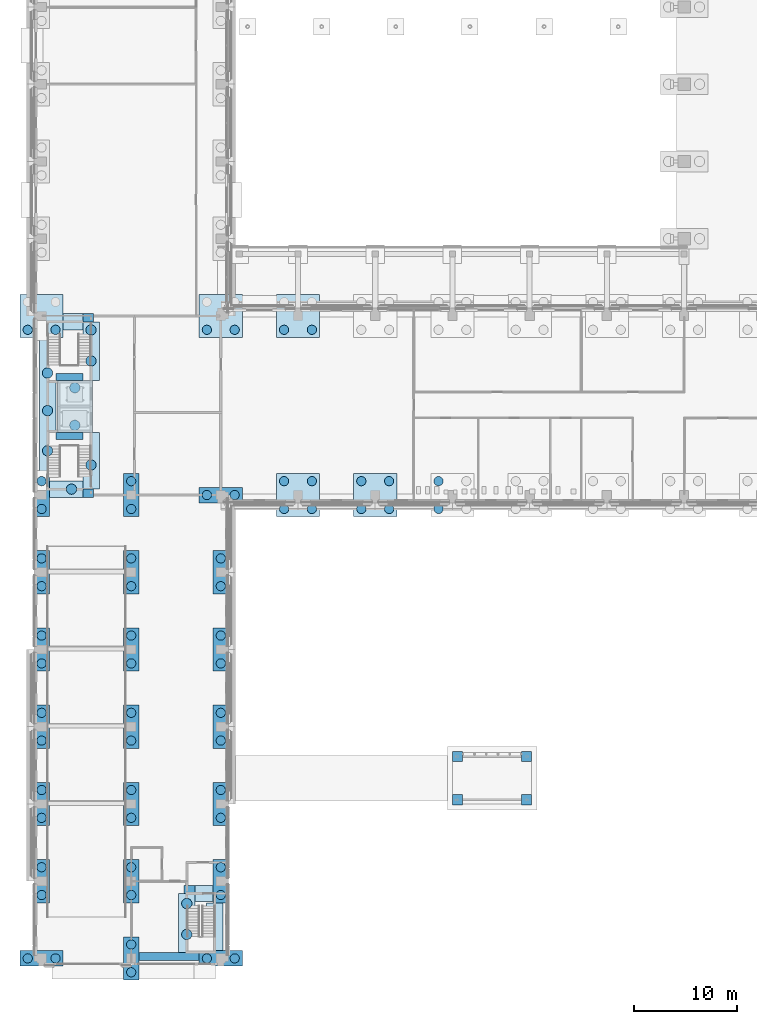
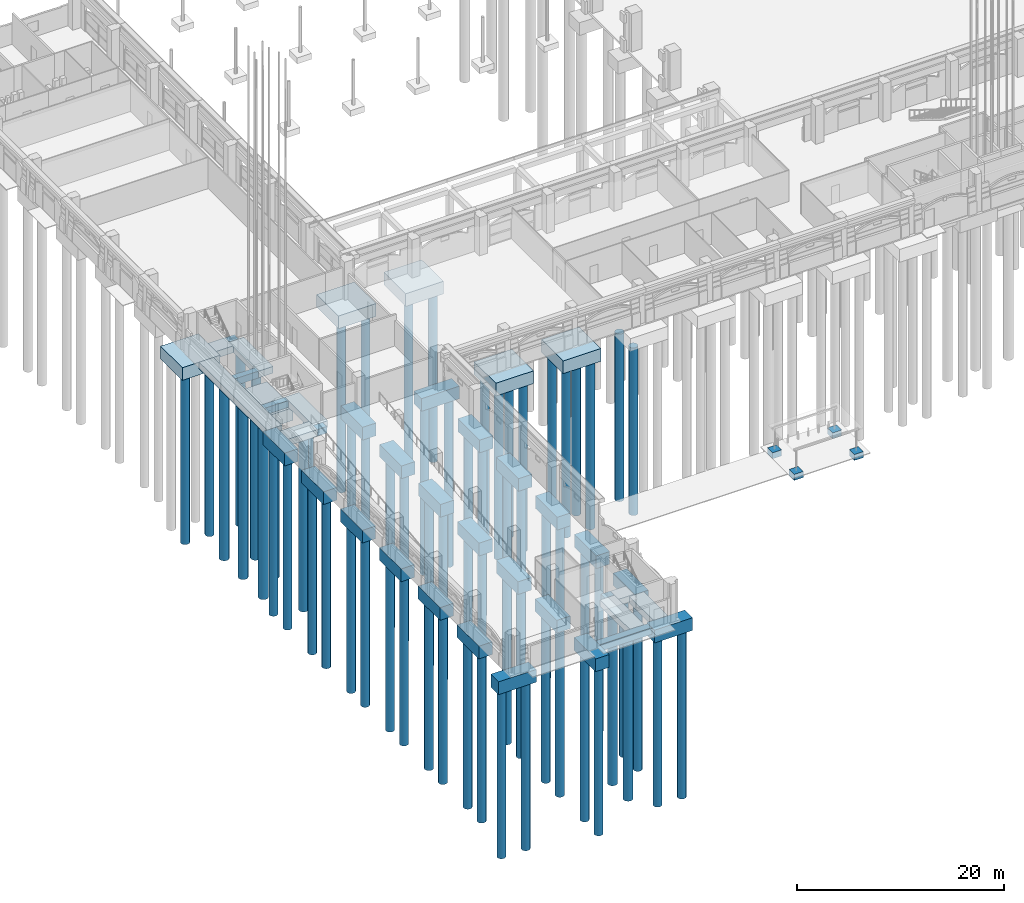
# One storey, part 1 of 99: 69 piles, 45 footings.
"""IFC4 building model written with IfcOpenShell, lengths in metres."""

import ifcopenshell
import ifcopenshell.guid

model = None  # the IFC model being written
_history = None  # IfcOwnerHistory: only IFC2X3 demands one
_inside = {}  # id of a spatial element -> (the spatial element, [elements in it])
_under = {}  # id of a project, library or spatial element -> (it, [spatial elements below it])
_declared = {}  # id of a project -> (the project, [libraries it declares])
_typed = {}  # id of a type object -> (the type object, [elements of that type])
_made_of = {}  # id of a material, layer set ... -> (it, [elements and type objects made of it])


def new_model(schema):
    """Start an empty IFC model of exactly this schema.

    Asked for "IFC4X3", IfcOpenShell would pick the latest addendum, in which some entities
    have other attributes; the version numbers below select the first issue.
    IFC2X3 requires an IfcOwnerHistory on every rooted entity: one is made here for all.
    """
    global model, _history
    if schema == "IFC4X3":
        model = ifcopenshell.file(schema_version=(4, 3, 0, 0))
    else:
        model = ifcopenshell.file(schema=schema)
    _inside.clear()
    _under.clear()
    _declared.clear()
    _typed.clear()
    _made_of.clear()
    _history = None
    if model.schema == "IFC2X3":
        org = make("IfcOrganization", Name="unknown")
        user = make(
            "IfcPersonAndOrganization",
            ThePerson=make("IfcPerson", FamilyName="unknown"),
            TheOrganization=org,
        )
        app = make(
            "IfcApplication",
            ApplicationDeveloper=org,
            Version="unknown",
            ApplicationFullName="unknown",
            ApplicationIdentifier="unknown",
        )
        _history = make(
            "IfcOwnerHistory",
            OwningUser=user,
            OwningApplication=app,
            ChangeAction="ADDED",
            CreationDate=0,
        )
    return model


def make(cls, **values):
    """One entity of the class cls with the attributes given. An attribute that is None is left unset."""
    return model.create_entity(
        cls, **{name: value for name, value in values.items() if value is not None}
    )


def rooted(cls, **values):
    """An entity with a GlobalId (a new one), such as an element, a storey or a relation."""
    return make(cls, GlobalId=ifcopenshell.guid.new(), OwnerHistory=_history, **values)


def si_unit(unit_type, name, prefix=None):
    """IfcSIUnit, for example si_unit("LENGTHUNIT", "METRE", prefix="MILLI")."""
    return make("IfcSIUnit", UnitType=unit_type, Prefix=prefix, Name=name)


def assignment(units):
    """IfcUnitAssignment: the units of a project."""
    return None if units is None else make("IfcUnitAssignment", Units=units)


def point(xyz):
    """IfcCartesianPoint."""
    return None if xyz is None else make("IfcCartesianPoint", Coordinates=xyz)


def direction(xyz):
    """IfcDirection."""
    return None if xyz is None else make("IfcDirection", DirectionRatios=xyz)


def frame(location, z_axis=None, x_axis=None):
    """IfcAxis2Placement3D, a coordinate frame: its origin and axes. An axis left out is left unset."""
    return make(
        "IfcAxis2Placement3D",
        Location=point(location),
        Axis=direction(z_axis),
        RefDirection=direction(x_axis),
    )


def frame_2d(location, x_axis=None):
    """IfcAxis2Placement2D, a coordinate frame in the plane: its origin and x axis."""
    return make(
        "IfcAxis2Placement2D", Location=point(location), RefDirection=direction(x_axis)
    )


def origin():
    """The frame at (0, 0, 0) with its axes left unset."""
    return frame((0.0, 0.0, 0.0))


def origin_2d():
    """The frame at (0, 0) in the plane with its x axis left unset."""
    return frame_2d((0.0, 0.0))


def place(relative_to, where):
    """IfcLocalPlacement: puts the frame where relative to a parent placement (None: the world)."""
    return make(
        "IfcLocalPlacement", PlacementRelTo=relative_to, RelativePlacement=where
    )


def context(
    kind, dimensions, precision=None, world=None, true_north=None, identifier=None
):
    """IfcGeometricRepresentationContext, for example the 3D "Model" context."""
    return make(
        "IfcGeometricRepresentationContext",
        ContextIdentifier=identifier,
        ContextType=kind,
        CoordinateSpaceDimension=dimensions,
        Precision=precision,
        WorldCoordinateSystem=world,
        TrueNorth=true_north,
    )


def subcontext(parent, identifier, kind, view, scale=None):
    """IfcGeometricRepresentationSubContext, for example "Body" below "Model"."""
    return make(
        "IfcGeometricRepresentationSubContext",
        ContextIdentifier=identifier,
        ContextType=kind,
        ParentContext=parent,
        TargetScale=scale,
        TargetView=view,
    )


def project(units=None, contexts=None):
    """IfcProject with its units and contexts."""
    return rooted(
        "IfcProject",
        Name="project",
        RepresentationContexts=contexts,
        UnitsInContext=assignment(units),
    )


def spatial(cls, under=None, at=None, **own):
    """A site, building, storey or space (cls), placed at a placement, below another one or the project."""
    s = rooted(cls, ObjectPlacement=at, **own)
    if under is not None:
        _under.setdefault(under.id(), (under, []))[1].append(s)
    return s


def polyline(points):
    """IfcPolyline through the points."""
    return make("IfcPolyline", Points=[point(p) for p in points])


def profile(cls, at=None, kind="AREA", **sizes):
    """A parametric profile (cls). Its sizes go by their IFC names, for example OverallWidth=200.0."""
    return make(cls, ProfileType=kind, Position=at, **sizes)


def circle(**sizes):
    """IfcCircleProfileDef."""
    return profile("IfcCircleProfileDef", **sizes)


def outline(outer, holes=None, kind="AREA"):
    """IfcArbitraryClosedProfileDef: a profile drawn as a closed curve; with holes, ...WithVoids."""
    if holes is None:
        return make("IfcArbitraryClosedProfileDef", ProfileType=kind, OuterCurve=outer)
    return make(
        "IfcArbitraryProfileDefWithVoids",
        ProfileType=kind,
        OuterCurve=outer,
        InnerCurves=holes,
    )


def extrude(swept, where, along, depth):
    """IfcExtrudedAreaSolid: the profile swept, set in the frame where, extruded along a direction by depth."""
    return make(
        "IfcExtrudedAreaSolid",
        SweptArea=swept,
        Position=where,
        ExtrudedDirection=direction(along),
        Depth=depth,
    )


def shape(context_of_items, identifier, shape_type, items):
    """IfcShapeRepresentation: the items that make up one representation, for example the "Body"."""
    return make(
        "IfcShapeRepresentation",
        ContextOfItems=context_of_items,
        RepresentationIdentifier=identifier,
        RepresentationType=shape_type,
        Items=items,
    )


def material(Name=None, Category=None):
    """IfcMaterial."""
    return make("IfcMaterial", Name=Name, Category=Category)


def layer(
    of_material, thickness, ventilated=None, Name=None, Category=None, Priority=None
):
    """IfcMaterialLayer: one layer of a wall or slab, of a material (None: an air gap)."""
    return make(
        "IfcMaterialLayer",
        Material=of_material,
        LayerThickness=thickness,
        IsVentilated=ventilated,
        Name=Name,
        Category=Category,
        Priority=Priority,
    )


def layer_set(layers, Name=None):
    """IfcMaterialLayerSet."""
    return make("IfcMaterialLayerSet", MaterialLayers=layers, LayerSetName=Name)


def material_profile(
    of_material, cross_section, Name=None, Category=None, Priority=None
):
    """IfcMaterialProfile: a cross section and its material."""
    return make(
        "IfcMaterialProfile",
        Name=Name,
        Material=of_material,
        Profile=cross_section,
        Priority=Priority,
        Category=Category,
    )


def profile_set(profiles, Name=None, composite=None):
    """IfcMaterialProfileSet."""
    return make(
        "IfcMaterialProfileSet",
        Name=Name,
        MaterialProfiles=profiles,
        CompositeProfile=composite,
    )


def made_of(thing, what):
    """Note that an element or type object is made of a material, layer set ...; save() writes the relation."""
    if what is not None:
        _made_of.setdefault(what.id(), (what, []))[1].append(thing)
    return thing


def type_object(cls, material=None, **own):
    """A type object (cls), such as IfcWallType, which elements share."""
    return made_of(rooted(cls, **own), material)


def element(
    cls,
    number,
    at=None,
    inside=None,
    cuts=None,
    type_object=None,
    material=None,
    context=None,
    identifier="Body",
    shape_type=None,
    held_by="IfcProductDefinitionShape",
    body=None,
    shapes=None,
    **own,
):
    """One element of the class cls, such as IfcWall. Its Tag is "e" and its number.

    at: its placement. inside: the storey or other place that contains it. cuts: it is an
    opening in that element (IfcRelVoidsElement). A single representation is given by context,
    identifier, shape_type and body (its items); several are given by shapes. held_by: the class
    of the entity that holds the representations. save() writes the other relations.
    """
    e = rooted(cls, Tag="e%d" % number, ObjectPlacement=at, **own)
    if body is not None:
        shapes = [shape(context, identifier, shape_type, body)]
    if shapes is not None:
        e.Representation = make(held_by, Representations=shapes)
    if inside is not None:
        _inside.setdefault(inside.id(), (inside, []))[1].append(e)
    if cuts is not None:
        rooted(
            "IfcRelVoidsElement", RelatingBuildingElement=cuts, RelatedOpeningElement=e
        )
    if type_object is not None:
        _typed.setdefault(type_object.id(), (type_object, []))[1].append(e)
    return made_of(e, material)


def aggregate(whole, parts):
    """IfcRelAggregates: a whole, such as a stair, and the parts it consists of."""
    return rooted("IfcRelAggregates", RelatingObject=whole, RelatedObjects=parts)


def save(model, path):
    """Write the relations noted so far, then the file.

    IfcRelAggregates (storeys below a building ...), IfcRelContainedInSpatialStructure (elements
    in a storey), IfcRelDefinesByType, IfcRelAssociatesMaterial and IfcRelDeclares: one each for
    every whole, place, type object, material and project.
    """
    for whole, parts in _under.values():
        aggregate(whole, parts)
    for where, things in _inside.values():
        rooted(
            "IfcRelContainedInSpatialStructure",
            RelatedElements=things,
            RelatingStructure=where,
        )
    for kind, things in _typed.values():
        rooted("IfcRelDefinesByType", RelatedObjects=things, RelatingType=kind)
    for what, things in _made_of.values():
        rooted("IfcRelAssociatesMaterial", RelatedObjects=things, RelatingMaterial=what)
    for by, libraries in _declared.values():
        rooted("IfcRelDeclares", RelatingContext=by, RelatedDefinitions=libraries)
    model.write(path)


model = new_model("IFC4")

# Units and contexts
model_context = context("Model", 3, precision=1e-05, world=origin(), true_north=direction((0.0, 1.0)))
body_context = subcontext(model_context, "Body", "Model", "MODEL_VIEW")
ifc_project = project(units=[si_unit("LENGTHUNIT", "METRE"), si_unit("AREAUNIT", "SQUARE_METRE"), si_unit("VOLUMEUNIT", "CUBIC_METRE"), si_unit("PLANEANGLEUNIT", "RADIAN"), si_unit("MASSUNIT", "GRAM", prefix="KILO")], contexts=[model_context])

# Site, building, storey
site_placement = place(None, origin())
site = spatial("IfcSite", under=ifc_project, at=site_placement, CompositionType="ELEMENT")
building_placement = place(site_placement, origin())
building = spatial("IfcBuilding", under=site, at=building_placement, Name="Cour d'Honneur Mobility Palace", CompositionType="ELEMENT")
storey_placement = place(building_placement, origin())
storey = spatial("IfcBuildingStorey", under=building, at=storey_placement, Name="L00", CompositionType="ELEMENT", Elevation=0.0)

# Piles
ifc_material_1 = material(Name="Concrete C40", Category="concrete")
ifc_material_profile_1 = material_profile(ifc_material_1, circle(Radius=0.5, at=origin_2d()), Name="Bored pile D1000")
ifc_profile_set_1 = profile_set([ifc_material_profile_1], Name="Concrete C40")
pile_type_1 = type_object("IfcPileType", Name="Bored pile D1000", PredefinedType="BORED", material=ifc_profile_set_1)
for number, where, z_axis, x_axis, name in (
    (1, (3.22509765625, 51.77490234375, -3.300048828125), (0.0, 0.0, -1.0), (1.0, 0.0, 0.0), "Bored pile CW.L.1"),
    (2, (3.22509765625, 55.425048828125, -3.300048828125), (0.0, 0.0, -1.0), (1.0, 0.0, 0.0), "Bored pile CW.L.2"),
):
    element("IfcPile", number, at=place(storey_placement, frame(where, z_axis=z_axis, x_axis=x_axis)), inside=storey, type_object=pile_type_1, Name=name, PredefinedType="BORED", context=body_context, shape_type="SweptSolid", body=[
        extrude(circle(Radius=0.5, at=origin_2d()), origin(), (0.0, 0.0, 1.0), 18.199951171875),
    ])
for number, where, z_axis, x_axis, name in (
    (3, (14.10009765625, 2.324951171875, -1.050048828125), (0.0, 0.0, -1.0), (1.0, 0.0, 0.0), "Bored pile S003.1"),
    (4, (14.10009765625, 5.324951171875, -1.050048828125), (0.0, 0.0, -1.0), (1.0, 0.0, 0.0), "Bored pile S003.2"),
    (5, (2.89990234375, 45.574951171875, -1.050048828125), (0.0, 0.0, -1.0), (1.0, 0.0, 0.0), "Bored pile S011.1"),
    (6, (4.800048828125, 47.925048828125, -1.050048828125), (0.0, 0.0, -1.0), (1.0, 0.0, 0.0), "Bored pile S018.1"),
    (7, (0.574951171875, 49.300048828125, -1.050048828125), (0.0, 0.0, -1.0), (1.0, 0.0, 0.0), "Bored pile S023.1"),
    (8, (0.574951171875, 53.199951171875, -1.050048828125), (0.0, 0.0, -1.0), (1.0, 0.0, 0.0), "Bored pile S023.2"),
    (9, (0.574951171875, 56.85009765625, -1.050048828125), (0.0, 0.0, -1.0), (1.0, 0.0, 0.0), "Bored pile S023.3"),
    (10, (4.800048828125, 58.02490234375, -1.050048828125), (0.0, 0.0, -1.0), (1.0, 0.0, 0.0), "Bored pile S032.1"),
    (11, (4.800048828125, 61.02490234375, -1.050048828125), (0.0, 0.0, -1.0), (1.0, 0.0, 0.0), "Bored pile S032.2"),
):
    element("IfcPile", number, at=place(storey_placement, frame(where, z_axis=z_axis, x_axis=x_axis)), inside=storey, type_object=pile_type_1, Name=name, PredefinedType="BORED", context=body_context, shape_type="SweptSolid", body=[
        extrude(circle(Radius=0.5, at=origin_2d()), origin(), (0.0, 0.0, 1.0), 20.449951171875),
    ])
ifc_material_2 = material(Name="Concrete C40", Category="concrete")
ifc_material_profile_2 = material_profile(ifc_material_2, circle(Radius=0.449951171875, at=origin_2d()), Name="Bored pile D900")
ifc_profile_set_2 = profile_set([ifc_material_profile_2], Name="Concrete C40")
pile_type_2 = type_object("IfcPileType", Name="Bored pile D900", PredefinedType="BORED", material=ifc_profile_set_2)
for number, where, z_axis, x_axis, name in (
    (12, (-1.35009765625, 0.0, -1.75), (0.0, 0.0, -1.0), (1.0, 0.0, 0.0), "Bored pile L00.1/A.1"),
    (13, (1.35009765625, 0.0, -1.75), (0.0, 0.0, -1.0), (1.0, 0.0, 0.0), "Bored pile L00.1/A.2"),
    (14, (8.699951171875, -1.35009765625, -1.75), (0.0, 0.0, -1.0), (1.0, 0.0, 0.0), "Bored pile L00.1A/A.1"),
    (15, (8.699951171875, 1.35009765625, -1.75), (0.0, 0.0, -1.0), (1.0, 0.0, 0.0), "Bored pile L00.1A/A.2"),
    (16, (16.050048828125, 0.0, -1.75), (0.0, 0.0, -1.0), (1.0, 0.0, 0.0), "Bored pile L00.2/A.1"),
    (17, (18.75, 0.0, -1.75), (0.0, 0.0, -1.0), (1.0, 0.0, 0.0), "Bored pile L00.2/A.2"),
    (18, (0.0, 6.14990234375, -1.75), (0.0, 0.0, -1.0), (1.0, 0.0, 0.0), "Bored pile L00.1/B.1"),
    (19, (0.0, 8.85009765625, -1.75), (0.0, 0.0, -1.0), (1.0, 0.0, 0.0), "Bored pile L00.1/B.2"),
    (20, (8.699951171875, 6.14990234375, -1.75), (0.0, 0.0, -1.0), (1.0, 0.0, 0.0), "Bored pile L00.1A/B.1"),
    (21, (8.699951171875, 8.85009765625, -1.75), (0.0, 0.0, -1.0), (1.0, 0.0, 0.0), "Bored pile L00.1A/B.2"),
    (22, (17.39990234375, 6.14990234375, -1.75), (0.0, 0.0, -1.0), (1.0, 0.0, 0.0), "Bored pile L00.2/B.1"),
    (23, (17.39990234375, 8.85009765625, -1.75), (0.0, 0.0, -1.0), (1.0, 0.0, 0.0), "Bored pile L00.2/B.2"),
    (24, (0.0, 13.64990234375, -1.75), (0.0, 0.0, -1.0), (1.0, 0.0, 0.0), "Bored pile L00.1/C.1"),
    (25, (0.0, 16.35009765625, -1.75), (0.0, 0.0, -1.0), (1.0, 0.0, 0.0), "Bored pile L00.1/C.2"),
    (26, (8.699951171875, 13.64990234375, -1.75), (0.0, 0.0, -1.0), (1.0, 0.0, 0.0), "Bored pile L00.1A/C.1"),
    (27, (8.699951171875, 16.35009765625, -1.75), (0.0, 0.0, -1.0), (1.0, 0.0, 0.0), "Bored pile L00.1A/C.2"),
    (28, (17.39990234375, 13.64990234375, -1.75), (0.0, 0.0, -1.0), (1.0, 0.0, 0.0), "Bored pile L00.2/C.1"),
    (29, (17.39990234375, 16.35009765625, -1.75), (0.0, 0.0, -1.0), (1.0, 0.0, 0.0), "Bored pile L00.2/C.2"),
    (30, (0.0, 21.14990234375, -1.75), (0.0, 0.0, -1.0), (1.0, 0.0, 0.0), "Bored pile L00.1/D.1"),
    (31, (0.0, 23.85009765625, -1.75), (0.0, 0.0, -1.0), (1.0, 0.0, 0.0), "Bored pile L00.1/D.2"),
    (32, (8.699951171875, 21.14990234375, -1.75), (0.0, 0.0, -1.0), (1.0, 0.0, 0.0), "Bored pile L00.1A/D.1"),
    (33, (8.699951171875, 23.85009765625, -1.75), (0.0, 0.0, -1.0), (1.0, 0.0, 0.0), "Bored pile L00.1A/D.2"),
    (34, (17.39990234375, 21.14990234375, -1.75), (0.0, 0.0, -1.0), (1.0, 0.0, 0.0), "Bored pile L00.2/D.1"),
    (35, (17.39990234375, 23.85009765625, -1.75), (0.0, 0.0, -1.0), (1.0, 0.0, 0.0), "Bored pile L00.2/D.2"),
    (36, (0.0, 28.64990234375, -1.75), (0.0, 0.0, -1.0), (1.0, 0.0, 0.0), "Bored pile L00.1/E.1"),
    (37, (0.0, 31.35009765625, -1.75), (0.0, 0.0, -1.0), (1.0, 0.0, 0.0), "Bored pile L00.1/E.2"),
    (38, (8.699951171875, 28.64990234375, -1.75), (0.0, 0.0, -1.0), (1.0, 0.0, 0.0), "Bored pile L00.1A/E.1"),
    (39, (8.699951171875, 31.35009765625, -1.75), (0.0, 0.0, -1.0), (1.0, 0.0, 0.0), "Bored pile L00.1A/E.2"),
    (40, (17.39990234375, 28.64990234375, -1.75), (0.0, 0.0, -1.0), (1.0, 0.0, 0.0), "Bored pile L00.2/E.1"),
    (41, (17.39990234375, 31.35009765625, -1.75), (0.0, 0.0, -1.0), (1.0, 0.0, 0.0), "Bored pile L00.2/E.2"),
    (42, (0.0, 36.14990234375, -1.75), (0.0, 0.0, -1.0), (1.0, 0.0, 0.0), "Bored pile L00.1/F.1"),
    (43, (0.0, 38.85009765625, -1.75), (0.0, 0.0, -1.0), (1.0, 0.0, 0.0), "Bored pile L00.1/F.2"),
    (44, (8.699951171875, 36.14990234375, -1.75), (0.0, 0.0, -1.0), (1.0, 0.0, 0.0), "Bored pile L00.1A/F.1"),
    (45, (8.699951171875, 38.85009765625, -1.75), (0.0, 0.0, -1.0), (1.0, 0.0, 0.0), "Bored pile L00.1A/F.2"),
    (46, (17.39990234375, 36.14990234375, -1.75), (0.0, 0.0, -1.0), (1.0, 0.0, 0.0), "Bored pile L00.2/F.1"),
    (47, (17.39990234375, 38.85009765625, -1.75), (0.0, 0.0, -1.0), (1.0, 0.0, 0.0), "Bored pile L00.2/F.2"),
    (48, (0.0, 43.64990234375, -1.75), (0.0, 0.0, -1.0), (1.0, 0.0, 0.0), "Bored pile L00.1/G.1"),
    (49, (0.0, 46.35009765625, -1.75), (0.0, 0.0, -1.0), (1.0, 0.0, 0.0), "Bored pile L00.1/G.2"),
    (50, (8.699951171875, 43.64990234375, -1.75), (0.0, 0.0, -1.0), (1.0, 0.0, 0.0), "Bored pile L00.1A/G.1"),
    (51, (8.699951171875, 46.35009765625, -1.75), (0.0, 0.0, -1.0), (1.0, 0.0, 0.0), "Bored pile L00.1A/G.2"),
    (52, (16.050048828125, 45.0, -1.75), (0.0, 0.0, -1.0), (1.0, 0.0, 0.0), "Bored pile L00.2/G.1"),
    (53, (18.75, 45.0, -1.75), (0.0, 0.0, -1.0), (1.0, 0.0, 0.0), "Bored pile L00.2/G.2"),
    (54, (23.550048828125, 43.64990234375, -1.75), (0.0, 0.0, -1.0), (1.0, 0.0, 0.0), "Bored pile L00.3/G.1"),
    (55, (26.25, 43.64990234375, -1.75), (0.0, 0.0, -1.0), (1.0, 0.0, 0.0), "Bored pile L00.3/G.2"),
    (56, (23.550048828125, 46.35009765625, -1.75), (0.0, 0.0, -1.0), (1.0, 0.0, 0.0), "Bored pile L00.3/G.3"),
    (57, (26.25, 46.35009765625, -1.75), (0.0, 0.0, -1.0), (1.0, 0.0, 0.0), "Bored pile L00.3/G.4"),
    (58, (31.050048828125, 43.64990234375, -1.75), (0.0, 0.0, -1.0), (1.0, 0.0, 0.0), "Bored pile L00.4/G.1"),
    (59, (33.75, 43.64990234375, -1.75), (0.0, 0.0, -1.0), (1.0, 0.0, 0.0), "Bored pile L00.4/G.2"),
    (60, (31.050048828125, 46.35009765625, -1.75), (0.0, 0.0, -1.0), (1.0, 0.0, 0.0), "Bored pile L00.4/G.3"),
    (61, (33.75, 46.35009765625, -1.75), (0.0, 0.0, -1.0), (1.0, 0.0, 0.0), "Bored pile L00.4/G.4"),
    (62, (38.550048828125, 43.64990234375, -1.75), (0.0, 0.0, -1.0), (1.0, 0.0, 0.0), "Bored pile L00.5/G.1"),
    (63, (38.550048828125, 46.35009765625, -1.75), (0.0, 0.0, -1.0), (1.0, 0.0, 0.0), "Bored pile L00.5/G.3"),
    (64, (-1.35009765625, 61.050048828125, -1.75), (0.0, 0.0, -1.0), (1.0, 0.0, 0.0), "Bored pile L00.1/H.1"),
    (65, (1.35009765625, 61.050048828125, -1.75), (0.0, 0.0, -1.0), (1.0, 0.0, 0.0), "Bored pile L00.1/H.2"),
    (66, (16.050048828125, 61.050048828125, -1.75), (0.0, 0.0, -1.0), (1.0, 0.0, 0.0), "Bored pile L00.2/H.1"),
    (67, (18.75, 61.050048828125, -1.75), (0.0, 0.0, -1.0), (1.0, 0.0, 0.0), "Bored pile L00.2/H.2"),
    (68, (23.550048828125, 61.050048828125, -1.75), (0.0, 0.0, -1.0), (1.0, 0.0, 0.0), "Bored pile L00.3/H.1"),
    (69, (26.25, 61.050048828125, -1.75), (0.0, 0.0, -1.0), (1.0, 0.0, 0.0), "Bored pile L00.3/H.2"),
):
    element("IfcPile", number, at=place(storey_placement, frame(where, z_axis=z_axis, x_axis=x_axis)), inside=storey, type_object=pile_type_2, Name=name, PredefinedType="BORED", context=body_context, shape_type="SweptSolid", body=[
        extrude(circle(Radius=0.449951171875, at=origin_2d()), origin(), (0.0, 0.0, 1.0), 19.75),
    ])

# Footings
ifc_material_3 = material(Name="Concrete C40", Category="concrete")
ifc_layer_1 = layer(ifc_material_3, 1.5)
ifc_layer_set_1 = layer_set([ifc_layer_1], Name="Concrete C40")
footing_type_1 = type_object("IfcFootingType", Name="Pile cap PC2 4200x1500", PredefinedType="PILE_CAP", material=ifc_layer_set_1)
footing_1_placement = place(storey_placement, frame((0.0, 0.0, -1.75)))
element("IfcFooting", 70, at=footing_1_placement, inside=storey, type_object=footing_type_1, Name="Pile cap PC2-1/A", PredefinedType="PILE_CAP", context=body_context, shape_type="SweptSolid", body=[
    extrude(outline(polyline([(-2.10009765625, -0.75), (2.10009765625, -0.75), (2.10009765625, 0.75), (-2.10009765625, 0.75), (-2.10009765625, -0.75)])), origin(), (0.0, 0.0, 1.0), 1.5),
])
footing_2_placement = place(storey_placement, frame((0.0, 0.0, -1.75)))
element("IfcFooting", 71, at=footing_2_placement, inside=storey, type_object=footing_type_1, Name="Pile cap PC2-1A/A", PredefinedType="PILE_CAP", context=body_context, shape_type="SweptSolid", body=[
    extrude(outline(polyline([(7.949951171875, -2.10009765625), (9.449951171875, -2.10009765625), (9.449951171875, 2.10009765625), (7.949951171875, 2.10009765625), (7.949951171875, -2.10009765625)])), origin(), (0.0, 0.0, 1.0), 1.5),
])
footing_3_placement = place(storey_placement, frame((0.0, 0.0, -1.75)))
element("IfcFooting", 72, at=footing_3_placement, inside=storey, type_object=footing_type_1, Name="Pile cap PC2-2/A", PredefinedType="PILE_CAP", context=body_context, shape_type="SweptSolid", body=[
    extrude(outline(polyline([(15.300048828125, -0.75), (19.5, -0.75), (19.5, 0.75), (15.300048828125, 0.75), (15.300048828125, -0.75)])), origin(), (0.0, 0.0, 1.0), 1.5),
])
footing_4_placement = place(storey_placement, frame((0.0, 0.0, -1.75)))
element("IfcFooting", 73, at=footing_4_placement, inside=storey, type_object=footing_type_1, Name="Pile cap PC2-1/B", PredefinedType="PILE_CAP", context=body_context, shape_type="SweptSolid", body=[
    extrude(outline(polyline([(-0.75, 5.39990234375), (0.75, 5.39990234375), (0.75, 9.60009765625), (-0.75, 9.60009765625), (-0.75, 5.39990234375)])), origin(), (0.0, 0.0, 1.0), 1.5),
])
footing_5_placement = place(storey_placement, frame((0.0, 0.0, -1.75)))
element("IfcFooting", 74, at=footing_5_placement, inside=storey, type_object=footing_type_1, Name="Pile cap PC2-1A/B", PredefinedType="PILE_CAP", context=body_context, shape_type="SweptSolid", body=[
    extrude(outline(polyline([(7.949951171875, 5.39990234375), (9.449951171875, 5.39990234375), (9.449951171875, 9.60009765625), (7.949951171875, 9.60009765625), (7.949951171875, 5.39990234375)])), origin(), (0.0, 0.0, 1.0), 1.5),
])
footing_6_placement = place(storey_placement, frame((0.0, 0.0, -1.75)))
element("IfcFooting", 75, at=footing_6_placement, inside=storey, type_object=footing_type_1, Name="Pile cap PC2-2/B", PredefinedType="PILE_CAP", context=body_context, shape_type="SweptSolid", body=[
    extrude(outline(polyline([(16.64990234375, 5.39990234375), (18.14990234375, 5.39990234375), (18.14990234375, 9.60009765625), (16.64990234375, 9.60009765625), (16.64990234375, 5.39990234375)])), origin(), (0.0, 0.0, 1.0), 1.5),
])
footing_7_placement = place(storey_placement, frame((0.0, 0.0, -1.75)))
element("IfcFooting", 76, at=footing_7_placement, inside=storey, type_object=footing_type_1, Name="Pile cap PC2-1/C", PredefinedType="PILE_CAP", context=body_context, shape_type="SweptSolid", body=[
    extrude(outline(polyline([(-0.75, 12.89990234375), (0.75, 12.89990234375), (0.75, 17.10009765625), (-0.75, 17.10009765625), (-0.75, 12.89990234375)])), origin(), (0.0, 0.0, 1.0), 1.5),
])
footing_8_placement = place(storey_placement, frame((0.0, 0.0, -1.75)))
element("IfcFooting", 77, at=footing_8_placement, inside=storey, type_object=footing_type_1, Name="Pile cap PC2-1A/C", PredefinedType="PILE_CAP", context=body_context, shape_type="SweptSolid", body=[
    extrude(outline(polyline([(7.949951171875, 12.89990234375), (9.449951171875, 12.89990234375), (9.449951171875, 17.10009765625), (7.949951171875, 17.10009765625), (7.949951171875, 12.89990234375)])), origin(), (0.0, 0.0, 1.0), 1.5),
])
footing_9_placement = place(storey_placement, frame((0.0, 0.0, -1.75)))
element("IfcFooting", 78, at=footing_9_placement, inside=storey, type_object=footing_type_1, Name="Pile cap PC2-2/C", PredefinedType="PILE_CAP", context=body_context, shape_type="SweptSolid", body=[
    extrude(outline(polyline([(16.64990234375, 12.89990234375), (18.14990234375, 12.89990234375), (18.14990234375, 17.10009765625), (16.64990234375, 17.10009765625), (16.64990234375, 12.89990234375)])), origin(), (0.0, 0.0, 1.0), 1.5),
])
footing_10_placement = place(storey_placement, frame((0.0, 0.0, -1.75)))
element("IfcFooting", 79, at=footing_10_placement, inside=storey, type_object=footing_type_1, Name="Pile cap PC2-1/D", PredefinedType="PILE_CAP", context=body_context, shape_type="SweptSolid", body=[
    extrude(outline(polyline([(-0.75, 20.39990234375), (0.75, 20.39990234375), (0.75, 24.60009765625), (-0.75, 24.60009765625), (-0.75, 20.39990234375)])), origin(), (0.0, 0.0, 1.0), 1.5),
])
footing_11_placement = place(storey_placement, frame((0.0, 0.0, -1.75)))
element("IfcFooting", 80, at=footing_11_placement, inside=storey, type_object=footing_type_1, Name="Pile cap PC2-1A/D", PredefinedType="PILE_CAP", context=body_context, shape_type="SweptSolid", body=[
    extrude(outline(polyline([(7.949951171875, 20.39990234375), (9.449951171875, 20.39990234375), (9.449951171875, 24.60009765625), (7.949951171875, 24.60009765625), (7.949951171875, 20.39990234375)])), origin(), (0.0, 0.0, 1.0), 1.5),
])
footing_12_placement = place(storey_placement, frame((0.0, 0.0, -1.75)))
element("IfcFooting", 81, at=footing_12_placement, inside=storey, type_object=footing_type_1, Name="Pile cap PC2-2/D", PredefinedType="PILE_CAP", context=body_context, shape_type="SweptSolid", body=[
    extrude(outline(polyline([(16.64990234375, 20.39990234375), (18.14990234375, 20.39990234375), (18.14990234375, 24.60009765625), (16.64990234375, 24.60009765625), (16.64990234375, 20.39990234375)])), origin(), (0.0, 0.0, 1.0), 1.5),
])
footing_13_placement = place(storey_placement, frame((0.0, 0.0, -1.75)))
element("IfcFooting", 82, at=footing_13_placement, inside=storey, type_object=footing_type_1, Name="Pile cap PC2-1/E", PredefinedType="PILE_CAP", context=body_context, shape_type="SweptSolid", body=[
    extrude(outline(polyline([(-0.75, 27.89990234375), (0.75, 27.89990234375), (0.75, 32.10009765625), (-0.75, 32.10009765625), (-0.75, 27.89990234375)])), origin(), (0.0, 0.0, 1.0), 1.5),
])
footing_14_placement = place(storey_placement, frame((0.0, 0.0, -1.75)))
element("IfcFooting", 83, at=footing_14_placement, inside=storey, type_object=footing_type_1, Name="Pile cap PC2-1A/E", PredefinedType="PILE_CAP", context=body_context, shape_type="SweptSolid", body=[
    extrude(outline(polyline([(7.949951171875, 27.89990234375), (9.449951171875, 27.89990234375), (9.449951171875, 32.10009765625), (7.949951171875, 32.10009765625), (7.949951171875, 27.89990234375)])), origin(), (0.0, 0.0, 1.0), 1.5),
])
footing_15_placement = place(storey_placement, frame((0.0, 0.0, -1.75)))
element("IfcFooting", 84, at=footing_15_placement, inside=storey, type_object=footing_type_1, Name="Pile cap PC2-2/E", PredefinedType="PILE_CAP", context=body_context, shape_type="SweptSolid", body=[
    extrude(outline(polyline([(16.64990234375, 27.89990234375), (18.14990234375, 27.89990234375), (18.14990234375, 32.10009765625), (16.64990234375, 32.10009765625), (16.64990234375, 27.89990234375)])), origin(), (0.0, 0.0, 1.0), 1.5),
])
footing_16_placement = place(storey_placement, frame((0.0, 0.0, -1.75)))
element("IfcFooting", 85, at=footing_16_placement, inside=storey, type_object=footing_type_1, Name="Pile cap PC2-1/F", PredefinedType="PILE_CAP", context=body_context, shape_type="SweptSolid", body=[
    extrude(outline(polyline([(-0.75, 35.39990234375), (0.75, 35.39990234375), (0.75, 39.60009765625), (-0.75, 39.60009765625), (-0.75, 35.39990234375)])), origin(), (0.0, 0.0, 1.0), 1.5),
])
footing_17_placement = place(storey_placement, frame((0.0, 0.0, -1.75)))
element("IfcFooting", 86, at=footing_17_placement, inside=storey, type_object=footing_type_1, Name="Pile cap PC2-1A/F", PredefinedType="PILE_CAP", context=body_context, shape_type="SweptSolid", body=[
    extrude(outline(polyline([(7.949951171875, 35.39990234375), (9.449951171875, 35.39990234375), (9.449951171875, 39.60009765625), (7.949951171875, 39.60009765625), (7.949951171875, 35.39990234375)])), origin(), (0.0, 0.0, 1.0), 1.5),
])
footing_18_placement = place(storey_placement, frame((0.0, 0.0, -1.75)))
element("IfcFooting", 87, at=footing_18_placement, inside=storey, type_object=footing_type_1, Name="Pile cap PC2-2/F", PredefinedType="PILE_CAP", context=body_context, shape_type="SweptSolid", body=[
    extrude(outline(polyline([(16.64990234375, 35.39990234375), (18.14990234375, 35.39990234375), (18.14990234375, 39.60009765625), (16.64990234375, 39.60009765625), (16.64990234375, 35.39990234375)])), origin(), (0.0, 0.0, 1.0), 1.5),
])
footing_19_placement = place(storey_placement, frame((0.0, 0.0, -1.75)))
element("IfcFooting", 88, at=footing_19_placement, inside=storey, type_object=footing_type_1, Name="Pile cap PC2-1/G", PredefinedType="PILE_CAP", context=body_context, shape_type="SweptSolid", body=[
    extrude(outline(polyline([(-0.75, 42.89990234375), (0.75, 42.89990234375), (0.75, 47.10009765625), (-0.75, 47.10009765625), (-0.75, 42.89990234375)])), origin(), (0.0, 0.0, 1.0), 1.5),
])
footing_20_placement = place(storey_placement, frame((0.0, 0.0, -1.75)))
element("IfcFooting", 89, at=footing_20_placement, inside=storey, type_object=footing_type_1, Name="Pile cap PC2-1A/G", PredefinedType="PILE_CAP", context=body_context, shape_type="SweptSolid", body=[
    extrude(outline(polyline([(7.949951171875, 42.89990234375), (9.449951171875, 42.89990234375), (9.449951171875, 47.10009765625), (7.949951171875, 47.10009765625), (7.949951171875, 42.89990234375)])), origin(), (0.0, 0.0, 1.0), 1.5),
])
footing_21_placement = place(storey_placement, frame((0.0, 0.0, -1.75)))
element("IfcFooting", 90, at=footing_21_placement, inside=storey, type_object=footing_type_1, Name="Pile cap PC2-2/G", PredefinedType="PILE_CAP", context=body_context, shape_type="SweptSolid", body=[
    extrude(outline(polyline([(15.300048828125, 44.25), (19.5, 44.25), (19.5, 45.75), (15.300048828125, 45.75), (15.300048828125, 44.25)])), origin(), (0.0, 0.0, 1.0), 1.5),
])
ifc_material_4 = material(Name="Concrete C40", Category="concrete")
ifc_layer_2 = layer(ifc_material_4, 1.5)
ifc_layer_set_2 = layer_set([ifc_layer_2], Name="Concrete C40")
footing_type_2 = type_object("IfcFootingType", Name="Pile cap PC4 4200x4200", PredefinedType="PILE_CAP", material=ifc_layer_set_2)
footing_22_placement = place(storey_placement, frame((0.0, 0.0, -1.75)))
element("IfcFooting", 91, at=footing_22_placement, inside=storey, type_object=footing_type_2, Name="Pile cap PC4-3/G", PredefinedType="PILE_CAP", context=body_context, shape_type="SweptSolid", body=[
    extrude(outline(polyline([(22.800048828125, 42.89990234375), (27.0, 42.89990234375), (27.0, 47.10009765625), (22.800048828125, 47.10009765625), (22.800048828125, 42.89990234375)])), origin(), (0.0, 0.0, 1.0), 1.5),
])
footing_23_placement = place(storey_placement, frame((0.0, 0.0, -1.75)))
element("IfcFooting", 92, at=footing_23_placement, inside=storey, type_object=footing_type_2, Name="Pile cap PC4-4/G", PredefinedType="PILE_CAP", context=body_context, shape_type="SweptSolid", body=[
    extrude(outline(polyline([(30.300048828125, 42.89990234375), (34.5, 42.89990234375), (34.5, 47.10009765625), (30.300048828125, 47.10009765625), (30.300048828125, 42.89990234375)])), origin(), (0.0, 0.0, 1.0), 1.5),
])
footing_24_placement = place(storey_placement, frame((0.0, 0.0, -1.75)))
element("IfcFooting", 93, at=footing_24_placement, inside=storey, type_object=footing_type_2, Name="Pile cap PC4-1/H", PredefinedType="PILE_CAP", context=body_context, shape_type="SweptSolid", body=[
    extrude(outline(polyline([(-2.10009765625, 60.300048828125), (2.10009765625, 60.300048828125), (2.10009765625, 64.5), (-2.10009765625, 64.5), (-2.10009765625, 60.300048828125)])), origin(), (0.0, 0.0, 1.0), 1.5),
])
footing_25_placement = place(storey_placement, frame((0.0, 0.0, -1.75)))
element("IfcFooting", 94, at=footing_25_placement, inside=storey, type_object=footing_type_2, Name="Pile cap PC4-2/H", PredefinedType="PILE_CAP", context=body_context, shape_type="SweptSolid", body=[
    extrude(outline(polyline([(15.300048828125, 60.300048828125), (19.5, 60.300048828125), (19.5, 64.5), (15.300048828125, 64.5), (15.300048828125, 60.300048828125)])), origin(), (0.0, 0.0, 1.0), 1.5),
])
footing_26_placement = place(storey_placement, frame((0.0, 0.0, -1.75)))
element("IfcFooting", 95, at=footing_26_placement, inside=storey, type_object=footing_type_2, Name="Pile cap PC4-3/H", PredefinedType="PILE_CAP", context=body_context, shape_type="SweptSolid", body=[
    extrude(outline(polyline([(22.800048828125, 60.300048828125), (27.0, 60.300048828125), (27.0, 64.5), (22.800048828125, 64.5), (22.800048828125, 60.300048828125)])), origin(), (0.0, 0.0, 1.0), 1.5),
])
ifc_material_5 = material(Name="Concrete C40", Category="concrete")
ifc_layer_3 = layer(ifc_material_5, 1.5)
ifc_layer_set_3 = layer_set([ifc_layer_3], Name="Concrete C40")
footing_type_3 = type_object("IfcFootingType", Name="Pit cap 3400x5050", PredefinedType="PILE_CAP", material=ifc_layer_set_3)
footing_27_placement = place(storey_placement, frame((0.0, 0.0, -3.300048828125)))
element("IfcFooting", 96, at=footing_27_placement, inside=storey, type_object=footing_type_3, Name="Pile cap PCL-CW.L", PredefinedType="PILE_CAP", context=body_context, shape_type="SweptSolid", body=[
    extrude(outline(polyline([(1.52490234375, 51.074951171875), (4.925048828125, 51.074951171875), (4.925048828125, 56.125), (1.52490234375, 56.125), (1.52490234375, 51.074951171875)])), origin(), (0.0, 0.0, 1.0), 1.5),
])
ifc_material_6 = material(Name="Concrete C40", Category="concrete")
ifc_layer_4 = layer(ifc_material_6, 0.699951171875)
ifc_layer_set_4 = layer_set([ifc_layer_4], Name="Concrete C40")
footing_type_4 = type_object("IfcFootingType", Name="Shelter footing 1000x1000", PredefinedType="STRIP_FOOTING", material=ifc_layer_set_4)
footing_28_placement = place(storey_placement, frame((0.0, 0.0, -0.699951171875)))
element("IfcFooting", 97, at=footing_28_placement, inside=storey, type_object=footing_type_4, Name="Shelter footing SMF-W1", PredefinedType="STRIP_FOOTING", context=body_context, shape_type="SweptSolid", body=[
    extrude(outline(polyline([(39.89990234375, 14.89990234375), (40.89990234375, 14.89990234375), (40.89990234375, 15.89990234375), (39.89990234375, 15.89990234375), (39.89990234375, 14.89990234375)])), origin(), (0.0, 0.0, 1.0), 0.699951171875),
])
footing_29_placement = place(storey_placement, frame((0.0, 0.0, -0.699951171875)))
element("IfcFooting", 98, at=footing_29_placement, inside=storey, type_object=footing_type_4, Name="Shelter footing SMF-W2", PredefinedType="STRIP_FOOTING", context=body_context, shape_type="SweptSolid", body=[
    extrude(outline(polyline([(39.89990234375, 19.10009765625), (40.89990234375, 19.10009765625), (40.89990234375, 20.10009765625), (39.89990234375, 20.10009765625), (39.89990234375, 19.10009765625)])), origin(), (0.0, 0.0, 1.0), 0.699951171875),
])
footing_30_placement = place(storey_placement, frame((0.0, 0.0, -0.699951171875)))
element("IfcFooting", 99, at=footing_30_placement, inside=storey, type_object=footing_type_4, Name="Shelter footing SMF-W3", PredefinedType="STRIP_FOOTING", context=body_context, shape_type="SweptSolid", body=[
    extrude(outline(polyline([(46.60009765625, 14.89990234375), (47.60009765625, 14.89990234375), (47.60009765625, 15.89990234375), (46.60009765625, 15.89990234375), (46.60009765625, 14.89990234375)])), origin(), (0.0, 0.0, 1.0), 0.699951171875),
])
footing_31_placement = place(storey_placement, frame((0.0, 0.0, -0.699951171875)))
element("IfcFooting", 100, at=footing_31_placement, inside=storey, type_object=footing_type_4, Name="Shelter footing SMF-W4", PredefinedType="STRIP_FOOTING", context=body_context, shape_type="SweptSolid", body=[
    extrude(outline(polyline([(46.60009765625, 19.10009765625), (47.60009765625, 19.10009765625), (47.60009765625, 20.10009765625), (46.60009765625, 20.10009765625), (46.60009765625, 19.10009765625)])), origin(), (0.0, 0.0, 1.0), 0.699951171875),
])
ifc_material_7 = material(Name="Concrete C40", Category="concrete")
ifc_layer_5 = layer(ifc_material_7, 0.800048828125)
ifc_layer_set_5 = layer_set([ifc_layer_5], Name="Concrete C40")
footing_type_5 = type_object("IfcFootingType", Name="Strip footing 1600x800", PredefinedType="STRIP_FOOTING", material=ifc_layer_set_5)
footing_32_placement = place(storey_placement, frame((0.0, 0.0, -1.050048828125)))
element("IfcFooting", 101, at=footing_32_placement, inside=storey, type_object=footing_type_5, Name="Strip footing SF-003", PredefinedType="STRIP_FOOTING", context=body_context, shape_type="SweptSolid", body=[
    extrude(outline(polyline([(13.300048828125, 0.574951171875), (14.89990234375, 0.574951171875), (14.89990234375, 6.300048828125), (13.300048828125, 6.300048828125), (13.300048828125, 0.574951171875)])), origin(), (0.0, 0.0, 1.0), 0.800048828125),
])
footing_33_placement = place(storey_placement, frame((0.0, 0.0, -1.050048828125)))
element("IfcFooting", 102, at=footing_33_placement, inside=storey, type_object=footing_type_5, Name="Strip footing SF-005", PredefinedType="STRIP_FOOTING", context=body_context, shape_type="SweptSolid", body=[
    extrude(outline(polyline([(16.02490234375, 0.75), (17.625, 0.75), (17.625, 5.39990234375), (16.02490234375, 5.39990234375), (16.02490234375, 0.75)])), origin(), (0.0, 0.0, 1.0), 0.800048828125),
])
footing_34_placement = place(storey_placement, frame((0.0, 0.0, -1.050048828125)))
element("IfcFooting", 103, at=footing_34_placement, inside=storey, type_object=footing_type_5, Name="Strip footing SF-007", PredefinedType="STRIP_FOOTING", context=body_context, shape_type="SweptSolid", body=[
    extrude(outline(polyline([(14.89990234375, 5.5), (16.64990234375, 5.5), (16.64990234375, 7.10009765625), (14.89990234375, 7.10009765625), (14.89990234375, 5.5)])), origin(), (0.0, 0.0, 1.0), 0.800048828125),
])
footing_35_placement = place(storey_placement, frame((0.0, 0.0, -1.050048828125)))
element("IfcFooting", 104, at=footing_35_placement, inside=storey, type_object=footing_type_5, Name="Strip footing SF-011", PredefinedType="STRIP_FOOTING", context=body_context, shape_type="SweptSolid", body=[
    extrude(outline(polyline([(0.75, 44.77490234375), (4.0, 44.77490234375), (4.0, 46.375), (0.75, 46.375), (0.75, 44.77490234375)])), origin(), (0.0, 0.0, 1.0), 0.800048828125),
])
footing_36_placement = place(storey_placement, frame((0.0, 0.0, -1.050048828125)))
element("IfcFooting", 105, at=footing_36_placement, inside=storey, type_object=footing_type_5, Name="Strip footing SF-018", PredefinedType="STRIP_FOOTING", context=body_context, shape_type="SweptSolid", body=[
    extrude(outline(polyline([(4.0, 45.574951171875), (5.60009765625, 45.574951171875), (5.60009765625, 51.074951171875), (4.0, 51.074951171875), (4.0, 45.574951171875)])), origin(), (0.0, 0.0, 1.0), 0.800048828125),
])
footing_37_placement = place(storey_placement, frame((0.0, 0.0, -1.050048828125)))
element("IfcFooting", 106, at=footing_37_placement, inside=storey, type_object=footing_type_5, Name="Strip footing SF-023", PredefinedType="STRIP_FOOTING", context=body_context, shape_type="SweptSolid", body=[
    extrude(outline(polyline([(-0.22509765625, 47.10009765625), (1.375, 47.10009765625), (1.375, 60.300048828125), (-0.22509765625, 60.300048828125), (-0.22509765625, 47.10009765625)])), origin(), (0.0, 0.0, 1.0), 0.800048828125),
])
footing_38_placement = place(storey_placement, frame((0.0, 0.0, -1.050048828125)))
element("IfcFooting", 107, at=footing_38_placement, inside=storey, type_object=footing_type_5, Name="Strip footing SF-032", PredefinedType="STRIP_FOOTING", context=body_context, shape_type="SweptSolid", body=[
    extrude(outline(polyline([(4.0, 56.125), (5.60009765625, 56.125), (5.60009765625, 61.824951171875), (4.0, 61.824951171875), (4.0, 56.125)])), origin(), (0.0, 0.0, 1.0), 0.800048828125),
])
footing_39_placement = place(storey_placement, frame((0.0, 0.0, -1.050048828125)))
element("IfcFooting", 108, at=footing_39_placement, inside=storey, type_object=footing_type_5, Name="Strip footing SF-035", PredefinedType="STRIP_FOOTING", context=body_context, shape_type="SweptSolid", body=[
    extrude(outline(polyline([(2.10009765625, 61.02490234375), (4.0, 61.02490234375), (4.0, 62.625), (2.10009765625, 62.625), (2.10009765625, 61.02490234375)])), origin(), (0.0, 0.0, 1.0), 0.800048828125),
])
ifc_material_8 = material(Name="Concrete C40", Category="concrete")
ifc_layer_6 = layer(ifc_material_8, 0.800048828125)
ifc_layer_set_6 = layer_set([ifc_layer_6], Name="Concrete C40")
footing_type_6 = type_object("IfcFootingType", Name="Strip footing 675x800", PredefinedType="STRIP_FOOTING", material=ifc_layer_set_6)
footing_40_placement = place(storey_placement, frame((0.0, 0.0, -1.050048828125)))
element("IfcFooting", 109, at=footing_40_placement, inside=storey, type_object=footing_type_6, Name="Strip footing SF-029", PredefinedType="STRIP_FOOTING", context=body_context, shape_type="SweptSolid", body=[
    extrude(outline(polyline([(1.375, 50.39990234375), (4.0, 50.39990234375), (4.0, 51.074951171875), (1.375, 51.074951171875), (1.375, 50.39990234375)])), origin(), (0.0, 0.0, 1.0), 0.800048828125),
])
footing_41_placement = place(storey_placement, frame((0.0, 0.0, -1.050048828125)))
element("IfcFooting", 110, at=footing_41_placement, inside=storey, type_object=footing_type_6, Name="Strip footing SF-031", PredefinedType="STRIP_FOOTING", context=body_context, shape_type="SweptSolid", body=[
    extrude(outline(polyline([(1.375, 56.125), (4.0, 56.125), (4.0, 56.800048828125), (1.375, 56.800048828125), (1.375, 56.125)])), origin(), (0.0, 0.0, 1.0), 0.800048828125),
])
ifc_material_9 = material(Name="Concrete C40", Category="concrete")
ifc_layer_7 = layer(ifc_material_9, 0.800048828125)
ifc_layer_set_7 = layer_set([ifc_layer_7], Name="Concrete C40")
footing_type_7 = type_object("IfcFootingType", Name="Strip footing 800x800", PredefinedType="STRIP_FOOTING", material=ifc_layer_set_7)
footing_42_placement = place(storey_placement, frame((0.0, 0.0, -1.050048828125)))
element("IfcFooting", 111, at=footing_42_placement, inside=storey, type_object=footing_type_7, Name="Strip footing SF-001", PredefinedType="STRIP_FOOTING", context=body_context, shape_type="SweptSolid", body=[
    extrude(outline(polyline([(9.449951171875, -0.22509765625), (15.300048828125, -0.22509765625), (15.300048828125, 0.574951171875), (9.449951171875, 0.574951171875), (9.449951171875, -0.22509765625)])), origin(), (0.0, 0.0, 1.0), 0.800048828125),
])
footing_43_placement = place(storey_placement, frame((0.0, 0.0, -1.050048828125)))
element("IfcFooting", 112, at=footing_43_placement, inside=storey, type_object=footing_type_7, Name="Strip footing SF-009", PredefinedType="STRIP_FOOTING", context=body_context, shape_type="SweptSolid", body=[
    extrude(outline(polyline([(13.85009765625, 6.300048828125), (14.89990234375, 6.300048828125), (14.89990234375, 7.10009765625), (13.85009765625, 7.10009765625), (13.85009765625, 6.300048828125)])), origin(), (0.0, 0.0, 1.0), 0.800048828125),
])
footing_44_placement = place(storey_placement, frame((0.0, 0.0, -1.050048828125)))
element("IfcFooting", 113, at=footing_44_placement, inside=storey, type_object=footing_type_7, Name="Strip footing SF-012", PredefinedType="STRIP_FOOTING", context=body_context, shape_type="SweptSolid", body=[
    extrude(outline(polyline([(4.0, 44.77490234375), (5.050048828125, 44.77490234375), (5.050048828125, 45.574951171875), (4.0, 45.574951171875), (4.0, 44.77490234375)])), origin(), (0.0, 0.0, 1.0), 0.800048828125),
])
footing_45_placement = place(storey_placement, frame((0.0, 0.0, -1.050048828125)))
element("IfcFooting", 114, at=footing_45_placement, inside=storey, type_object=footing_type_7, Name="Strip footing SF-037", PredefinedType="STRIP_FOOTING", context=body_context, shape_type="SweptSolid", body=[
    extrude(outline(polyline([(4.0, 61.824951171875), (5.050048828125, 61.824951171875), (5.050048828125, 62.625), (4.0, 62.625), (4.0, 61.824951171875)])), origin(), (0.0, 0.0, 1.0), 0.800048828125),
])

save(model, "model.ifc")
